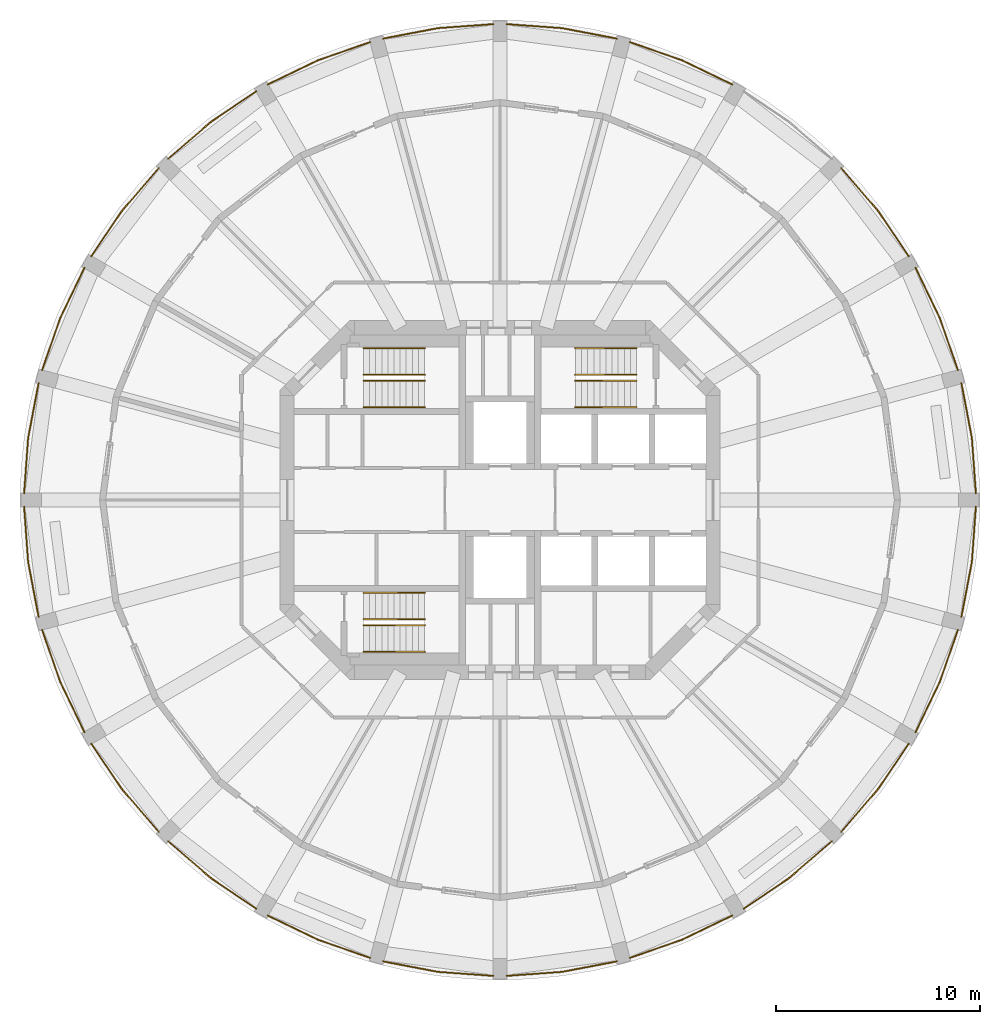
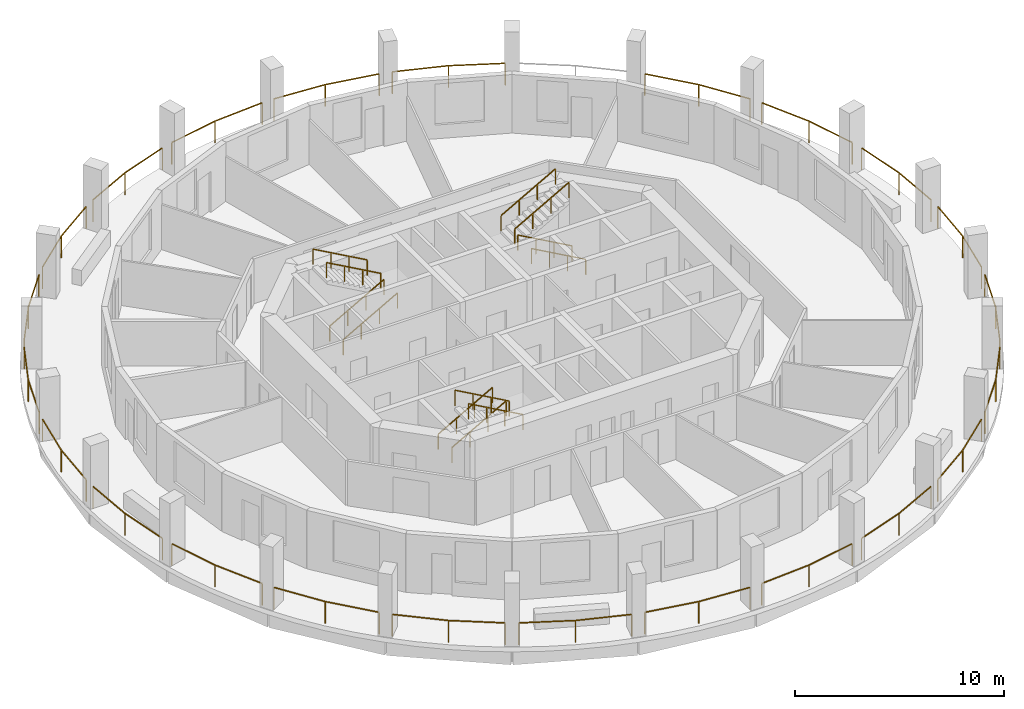
# One storey, part 7 of 8: 35 railings.
"""IFC4 building model written with IfcOpenShell, lengths in metres."""

from ifc_helpers import new_model, si_unit, direction, frame, origin, origin_2d, place, context, subcontext, project, spatial, rectangle, extrude, material, type_object, element, save


model = new_model("IFC4")

# Units and contexts
model_context = context("Model", 3, precision=1e-05, world=origin(), true_north=direction((0.0, 1.0)))
body_context = subcontext(model_context, "Body", "Model", "MODEL_VIEW")
ifc_project = project(units=[si_unit("LENGTHUNIT", "METRE"), si_unit("AREAUNIT", "SQUARE_METRE"), si_unit("VOLUMEUNIT", "CUBIC_METRE"), si_unit("PLANEANGLEUNIT", "RADIAN"), si_unit("MASSUNIT", "GRAM", prefix="KILO")], contexts=[model_context])

# Site, building, storey
site_placement = place(None, origin())
site = spatial("IfcSite", under=ifc_project, at=site_placement, CompositionType="ELEMENT")
building_placement = place(site_placement, origin())
building = spatial("IfcBuilding", under=site, at=building_placement, Name="Torre Triforio", CompositionType="ELEMENT")
storey_placement = place(building_placement, frame((0.0, 0.0, 203.89990234375)))
storey = spatial("IfcBuildingStorey", under=building, at=storey_placement, Name="L46", CompositionType="ELEMENT", Elevation=203.89990234375)

# Railings
ifc_material = material(Name="Stainless steel AISI 316", Category="steel")
railing_type_1 = type_object("IfcRailingType", Name="HANDRAIL 920", PredefinedType="HANDRAIL", material=ifc_material)
for number, where, name in (
    (1, (-6.699951171875, 4.550048828125, 0.168212890625), "Handrail ST1"),
    (2, (-6.699951171875, 5.85009765625, 0.168212890625), "Handrail ST1"),
):
    element("IfcRailing", number, at=place(storey_placement, frame(where)), inside=storey, type_object=railing_type_1, Name=name, PredefinedType="HANDRAIL", context=body_context, shape_type="SweptSolid", body=[
        extrude(rectangle(XDim=0.048095703125, YDim=0.048095703125, at=origin_2d()), frame((0.0, 0.0, 0.89599609375), z_axis=(0.872272294576, 0.0, 0.489020494575), x_axis=(0.0, 1.0, 0.0)), (0.0, 0.0, 1.0), 3.439208984375),
        extrude(rectangle(XDim=0.0419921875, YDim=0.0419921875, at=origin_2d()), origin(), (0.0, 0.0, 1.0), 0.871826171875),
        extrude(rectangle(XDim=0.0419921875, YDim=0.0419921875, at=origin_2d()), frame((1.0, 0.0, 0.560546875)), (0.0, 0.0, 1.0), 0.871826171875),
        extrude(rectangle(XDim=0.0419921875, YDim=0.0419921875, at=origin_2d()), frame((2.0, 0.0, 1.121337890625)), (0.0, 0.0, 1.0), 0.871826171875),
        extrude(rectangle(XDim=0.0419921875, YDim=0.0419921875, at=origin_2d()), frame((3.0, 0.0, 1.681884765625)), (0.0, 0.0, 1.0), 0.871826171875),
    ])
for number, where, name in (
    (3, (-3.699951171875, 7.449951171875, 2.018310546875), "Handrail ST1"),
    (4, (-3.699951171875, 6.14990234375, 2.018310546875), "Handrail ST1"),
    (5, (6.699951171875, 4.550048828125, 0.168212890625), "Handrail ST2"),
    (6, (6.699951171875, 5.85009765625, 0.168212890625), "Handrail ST2"),
):
    element("IfcRailing", number, at=place(storey_placement, frame(where)), inside=storey, type_object=railing_type_1, Name=name, PredefinedType="HANDRAIL", context=body_context, shape_type="SweptSolid", body=[
        extrude(rectangle(XDim=0.048095703125, YDim=0.048095703125, at=origin_2d()), frame((0.0, 0.0, 0.89599609375), z_axis=(-0.872272294576, 0.0, 0.489020494575), x_axis=(0.0, -1.0, 0.0)), (0.0, 0.0, 1.0), 3.439208984375),
        extrude(rectangle(XDim=0.0419921875, YDim=0.0419921875, at=origin_2d()), origin(), (0.0, 0.0, 1.0), 0.871826171875),
        extrude(rectangle(XDim=0.0419921875, YDim=0.0419921875, at=origin_2d()), frame((-1.0, 0.0, 0.560546875)), (0.0, 0.0, 1.0), 0.871826171875),
        extrude(rectangle(XDim=0.0419921875, YDim=0.0419921875, at=origin_2d()), frame((-2.0, 0.0, 1.121337890625)), (0.0, 0.0, 1.0), 0.871826171875),
        extrude(rectangle(XDim=0.0419921875, YDim=0.0419921875, at=origin_2d()), frame((-3.0, 0.0, 1.681884765625)), (0.0, 0.0, 1.0), 0.871826171875),
    ])
for number, where, name in (
    (7, (3.699951171875, 7.449951171875, 2.018310546875), "Handrail ST2"),
    (8, (3.699951171875, 6.14990234375, 2.018310546875), "Handrail ST2"),
    (9, (-6.699951171875, -4.550048828125, 0.168212890625), "Handrail ST3"),
    (10, (-6.699951171875, -5.85009765625, 0.168212890625), "Handrail ST3"),
):
    element("IfcRailing", number, at=place(storey_placement, frame(where)), inside=storey, type_object=railing_type_1, Name=name, PredefinedType="HANDRAIL", context=body_context, shape_type="SweptSolid", body=[
        extrude(rectangle(XDim=0.048095703125, YDim=0.048095703125, at=origin_2d()), frame((0.0, 0.0, 0.89599609375), z_axis=(0.872272294576, 0.0, 0.489020494575), x_axis=(0.0, 1.0, 0.0)), (0.0, 0.0, 1.0), 3.439208984375),
        extrude(rectangle(XDim=0.0419921875, YDim=0.0419921875, at=origin_2d()), origin(), (0.0, 0.0, 1.0), 0.871826171875),
        extrude(rectangle(XDim=0.0419921875, YDim=0.0419921875, at=origin_2d()), frame((1.0, 0.0, 0.560546875)), (0.0, 0.0, 1.0), 0.871826171875),
        extrude(rectangle(XDim=0.0419921875, YDim=0.0419921875, at=origin_2d()), frame((2.0, 0.0, 1.121337890625)), (0.0, 0.0, 1.0), 0.871826171875),
        extrude(rectangle(XDim=0.0419921875, YDim=0.0419921875, at=origin_2d()), frame((3.0, 0.0, 1.681884765625)), (0.0, 0.0, 1.0), 0.871826171875),
    ])
for number, where, name in (
    (11, (-3.699951171875, -7.449951171875, 2.018310546875), "Handrail ST3"),
    (12, (-3.699951171875, -6.14990234375, 2.018310546875), "Handrail ST3"),
):
    element("IfcRailing", number, at=place(storey_placement, frame(where)), inside=storey, type_object=railing_type_1, Name=name, PredefinedType="HANDRAIL", context=body_context, shape_type="SweptSolid", body=[
        extrude(rectangle(XDim=0.048095703125, YDim=0.048095703125, at=origin_2d()), frame((0.0, 0.0, 0.89599609375), z_axis=(-0.872272294576, 0.0, 0.489020494575), x_axis=(0.0, -1.0, 0.0)), (0.0, 0.0, 1.0), 3.439208984375),
        extrude(rectangle(XDim=0.0419921875, YDim=0.0419921875, at=origin_2d()), origin(), (0.0, 0.0, 1.0), 0.871826171875),
        extrude(rectangle(XDim=0.0419921875, YDim=0.0419921875, at=origin_2d()), frame((-1.0, 0.0, 0.560546875)), (0.0, 0.0, 1.0), 0.871826171875),
        extrude(rectangle(XDim=0.0419921875, YDim=0.0419921875, at=origin_2d()), frame((-2.0, 0.0, 1.121337890625)), (0.0, 0.0, 1.0), 0.871826171875),
        extrude(rectangle(XDim=0.0419921875, YDim=0.0419921875, at=origin_2d()), frame((-3.0, 0.0, 1.681884765625)), (0.0, 0.0, 1.0), 0.871826171875),
    ])
railing_type_2 = type_object("IfcRailingType", Name="Loggia guard 1300", PredefinedType="GUARDRAIL", material=ifc_material)
railing_1_placement = place(storey_placement, frame((23.35009765625, 0.320068359375, 0.0)))
element("IfcRailing", 13, at=railing_1_placement, inside=storey, type_object=railing_type_2, Name="Loggia guard L46 bay 01", PredefinedType="GUARDRAIL", context=body_context, shape_type="SweptSolid", body=[
    extrude(rectangle(XDim=0.050048828125, YDim=0.050048828125, at=origin_2d()), frame((0.0, 0.0, 1.27490234375), z_axis=(-0.073105569346, 0.997324207934, 0.0), x_axis=(-0.997324207934, -0.073105569346, 0.0)), (0.0, 0.0, 1.0), 2.735107421875),
    extrude(rectangle(XDim=0.050048828125, YDim=0.050048828125, at=origin_2d()), frame((-0.199951171875, 2.727783203125, 1.27490234375), z_axis=(-0.187542781797, 0.982256435457, 0.0), x_axis=(-0.982256435457, -0.187542781797, 0.0)), (0.0, 0.0, 1.0), 2.735107421875),
    extrude(rectangle(XDim=0.0400390625, YDim=0.0400390625, at=origin_2d()), origin(), (0.0, 0.0, 1.0), 1.25),
    extrude(rectangle(XDim=0.0400390625, YDim=0.0400390625, at=origin_2d()), frame((-0.199951171875, 2.727783203125, 0.0)), (0.0, 0.0, 1.0), 1.25),
    extrude(rectangle(XDim=0.0400390625, YDim=0.0400390625, at=origin_2d()), frame((-0.712890625, 5.414306640625, 0.0)), (0.0, 0.0, 1.0), 1.25),
])
railing_2_placement = place(storey_placement, frame((22.471435546875, 6.3525390625, 0.0)))
element("IfcRailing", 14, at=railing_2_placement, inside=storey, type_object=railing_type_2, Name="Loggia guard L46 bay 02", PredefinedType="GUARDRAIL", context=body_context, shape_type="SweptSolid", body=[
    extrude(rectangle(XDim=0.050048828125, YDim=0.050048828125, at=origin_2d()), frame((0.0, 0.0, 1.27490234375), z_axis=(-0.328652177394, 0.944451029061, 0.0), x_axis=(-0.944451029061, -0.328652177394, 0.0)), (0.0, 0.0, 1.0), 2.735107421875),
    extrude(rectangle(XDim=0.050048828125, YDim=0.050048828125, at=origin_2d()), frame((-0.89892578125, 2.583251953125, 1.27490234375), z_axis=(-0.435427931096, 0.900223592682, 0.0), x_axis=(-0.900223592682, -0.435427931096, 0.0)), (0.0, 0.0, 1.0), 2.735107421875),
    extrude(rectangle(XDim=0.0400390625, YDim=0.0400390625, at=origin_2d()), origin(), (0.0, 0.0, 1.0), 1.25),
    extrude(rectangle(XDim=0.0400390625, YDim=0.0400390625, at=origin_2d()), frame((-0.89892578125, 2.583251953125, 0.0)), (0.0, 0.0, 1.0), 1.25),
    extrude(rectangle(XDim=0.0400390625, YDim=0.0400390625, at=origin_2d()), frame((-2.08984375, 5.04541015625, 0.0)), (0.0, 0.0, 1.0), 1.25),
])
railing_3_placement = place(storey_placement, frame((20.061767578125, 11.9521484375, 0.0)))
element("IfcRailing", 15, at=railing_3_placement, inside=storey, type_object=railing_type_2, Name="Loggia guard L46 bay 03", PredefinedType="GUARDRAIL", context=body_context, shape_type="SweptSolid", body=[
    extrude(rectangle(XDim=0.050048828125, YDim=0.050048828125, at=origin_2d()), frame((0.0, 0.0, 1.27490234375), z_axis=(-0.561909542334, 0.827198686069, 0.0), x_axis=(-0.827198686069, -0.561909542334, 0.0)), (0.0, 0.0, 1.0), 2.735107421875),
    extrude(rectangle(XDim=0.050048828125, YDim=0.050048828125, at=origin_2d()), frame((-1.536865234375, 2.262451171875, 1.27490234375), z_axis=(-0.653580361536, 0.756857127214, 0.0), x_axis=(-0.756857127214, -0.653580361536, 0.0)), (0.0, 0.0, 1.0), 2.735107421875),
    extrude(rectangle(XDim=0.0400390625, YDim=0.0400390625, at=origin_2d()), origin(), (0.0, 0.0, 1.0), 1.25),
    extrude(rectangle(XDim=0.0400390625, YDim=0.0400390625, at=origin_2d()), frame((-1.536865234375, 2.262451171875, 0.0)), (0.0, 0.0, 1.0), 1.25),
    extrude(rectangle(XDim=0.0400390625, YDim=0.0400390625, at=origin_2d()), frame((-3.324462890625, 4.33251953125, 0.0)), (0.0, 0.0, 1.0), 1.25),
])
railing_4_placement = place(storey_placement, frame((11.39794921875, 20.381591796875, 0.0)))
element("IfcRailing", 16, at=railing_4_placement, inside=storey, type_object=railing_type_2, Name="Loggia guard L46 bay 05", PredefinedType="GUARDRAIL", context=body_context, shape_type="SweptSolid", body=[
    extrude(rectangle(XDim=0.050048828125, YDim=0.050048828125, at=origin_2d()), frame((0.0, 0.0, 1.27490234375), z_axis=(-0.900223592682, 0.435427931096, 0.0), x_axis=(-0.435427931096, -0.900223592682, 0.0)), (0.0, 0.0, 1.0), 2.735107421875),
    extrude(rectangle(XDim=0.050048828125, YDim=0.050048828125, at=origin_2d()), frame((-2.462158203125, 1.19091796875, 1.27490234375), z_axis=(-0.944451029061, 0.328652177394, 0.0), x_axis=(-0.328652177394, -0.944451029061, 0.0)), (0.0, 0.0, 1.0), 2.735107421875),
    extrude(rectangle(XDim=0.0400390625, YDim=0.0400390625, at=origin_2d()), origin(), (0.0, 0.0, 1.0), 1.25),
    extrude(rectangle(XDim=0.0400390625, YDim=0.0400390625, at=origin_2d()), frame((-2.462158203125, 1.19091796875, 0.0)), (0.0, 0.0, 1.0), 1.25),
    extrude(rectangle(XDim=0.0400390625, YDim=0.0400390625, at=origin_2d()), frame((-5.04541015625, 2.08984375, 0.0)), (0.0, 0.0, 1.0), 1.25),
])
railing_5_placement = place(storey_placement, frame((5.734375, 22.63720703125, 0.0)))
element("IfcRailing", 17, at=railing_5_placement, inside=storey, type_object=railing_type_2, Name="Loggia guard L46 bay 06", PredefinedType="GUARDRAIL", context=body_context, shape_type="SweptSolid", body=[
    extrude(rectangle(XDim=0.050048828125, YDim=0.050048828125, at=origin_2d()), frame((0.0, 0.0, 1.27490234375), z_axis=(-0.982256435457, 0.187542781797, 0.0), x_axis=(-0.187542781797, -0.982256435457, 0.0)), (0.0, 0.0, 1.0), 2.735107421875),
    extrude(rectangle(XDim=0.050048828125, YDim=0.050048828125, at=origin_2d()), frame((-2.6865234375, 0.512939453125, 1.27490234375), z_axis=(-0.997324207934, 0.073105569346, 0.0), x_axis=(-0.073105569346, -0.997324207934, 0.0)), (0.0, 0.0, 1.0), 2.735107421875),
    extrude(rectangle(XDim=0.0400390625, YDim=0.0400390625, at=origin_2d()), origin(), (0.0, 0.0, 1.0), 1.25),
    extrude(rectangle(XDim=0.0400390625, YDim=0.0400390625, at=origin_2d()), frame((-2.6865234375, 0.512939453125, 0.0)), (0.0, 0.0, 1.0), 1.25),
    extrude(rectangle(XDim=0.0400390625, YDim=0.0400390625, at=origin_2d()), frame((-5.414306640625, 0.712890625, 0.0)), (0.0, 0.0, 1.0), 1.25),
])
railing_6_placement = place(storey_placement, frame((-0.320068359375, 23.35009765625, 0.0)))
element("IfcRailing", 18, at=railing_6_placement, inside=storey, type_object=railing_type_2, Name="Loggia guard L46 bay 07", PredefinedType="GUARDRAIL", context=body_context, shape_type="SweptSolid", body=[
    extrude(rectangle(XDim=0.050048828125, YDim=0.050048828125, at=origin_2d()), frame((0.0, 0.0, 1.27490234375), z_axis=(-0.997324207934, -0.073105569346, 0.0), x_axis=(0.073105569346, -0.997324207934, 0.0)), (0.0, 0.0, 1.0), 2.735107421875),
    extrude(rectangle(XDim=0.050048828125, YDim=0.050048828125, at=origin_2d()), frame((-2.727783203125, -0.199951171875, 1.27490234375), z_axis=(-0.982256435457, -0.187542781797, 0.0), x_axis=(0.187542781797, -0.982256435457, 0.0)), (0.0, 0.0, 1.0), 2.735107421875),
    extrude(rectangle(XDim=0.0400390625, YDim=0.0400390625, at=origin_2d()), origin(), (0.0, 0.0, 1.0), 1.25),
    extrude(rectangle(XDim=0.0400390625, YDim=0.0400390625, at=origin_2d()), frame((-2.727783203125, -0.199951171875, 0.0)), (0.0, 0.0, 1.0), 1.25),
    extrude(rectangle(XDim=0.0400390625, YDim=0.0400390625, at=origin_2d()), frame((-5.414306640625, -0.712890625, 0.0)), (0.0, 0.0, 1.0), 1.25),
])
railing_7_placement = place(storey_placement, frame((-6.3525390625, 22.471435546875, 0.0)))
element("IfcRailing", 19, at=railing_7_placement, inside=storey, type_object=railing_type_2, Name="Loggia guard L46 bay 08", PredefinedType="GUARDRAIL", context=body_context, shape_type="SweptSolid", body=[
    extrude(rectangle(XDim=0.050048828125, YDim=0.050048828125, at=origin_2d()), frame((0.0, 0.0, 1.27490234375), z_axis=(-0.944451029061, -0.328652177394, 0.0), x_axis=(0.328652177394, -0.944451029061, 0.0)), (0.0, 0.0, 1.0), 2.735107421875),
    extrude(rectangle(XDim=0.050048828125, YDim=0.050048828125, at=origin_2d()), frame((-2.583251953125, -0.89892578125, 1.27490234375), z_axis=(-0.900223592682, -0.435427931096, 0.0), x_axis=(0.435427931096, -0.900223592682, 0.0)), (0.0, 0.0, 1.0), 2.735107421875),
    extrude(rectangle(XDim=0.0400390625, YDim=0.0400390625, at=origin_2d()), origin(), (0.0, 0.0, 1.0), 1.25),
    extrude(rectangle(XDim=0.0400390625, YDim=0.0400390625, at=origin_2d()), frame((-2.583251953125, -0.89892578125, 0.0)), (0.0, 0.0, 1.0), 1.25),
    extrude(rectangle(XDim=0.0400390625, YDim=0.0400390625, at=origin_2d()), frame((-5.04541015625, -2.08984375, 0.0)), (0.0, 0.0, 1.0), 1.25),
])
railing_8_placement = place(storey_placement, frame((-11.9521484375, 20.061767578125, 0.0)))
element("IfcRailing", 20, at=railing_8_placement, inside=storey, type_object=railing_type_2, Name="Loggia guard L46 bay 09", PredefinedType="GUARDRAIL", context=body_context, shape_type="SweptSolid", body=[
    extrude(rectangle(XDim=0.050048828125, YDim=0.050048828125, at=origin_2d()), frame((0.0, 0.0, 1.27490234375), z_axis=(-0.827198686069, -0.561909542334, 0.0), x_axis=(0.561909542334, -0.827198686069, 0.0)), (0.0, 0.0, 1.0), 2.735107421875),
    extrude(rectangle(XDim=0.050048828125, YDim=0.050048828125, at=origin_2d()), frame((-2.262451171875, -1.536865234375, 1.27490234375), z_axis=(-0.756857127214, -0.653580361536, 0.0), x_axis=(0.653580361536, -0.756857127214, 0.0)), (0.0, 0.0, 1.0), 2.735107421875),
    extrude(rectangle(XDim=0.0400390625, YDim=0.0400390625, at=origin_2d()), origin(), (0.0, 0.0, 1.0), 1.25),
    extrude(rectangle(XDim=0.0400390625, YDim=0.0400390625, at=origin_2d()), frame((-2.262451171875, -1.536865234375, 0.0)), (0.0, 0.0, 1.0), 1.25),
    extrude(rectangle(XDim=0.0400390625, YDim=0.0400390625, at=origin_2d()), frame((-4.33251953125, -3.324462890625, 0.0)), (0.0, 0.0, 1.0), 1.25),
])
railing_9_placement = place(storey_placement, frame((-16.7373046875, 16.28466796875, 0.0)))
element("IfcRailing", 21, at=railing_9_placement, inside=storey, type_object=railing_type_2, Name="Loggia guard L46 bay 10", PredefinedType="GUARDRAIL", context=body_context, shape_type="SweptSolid", body=[
    extrude(rectangle(XDim=0.050048828125, YDim=0.050048828125, at=origin_2d()), frame((0.0, 0.0, 1.27490234375), z_axis=(-0.653580361536, -0.756857127214, 0.0), x_axis=(0.756857127214, -0.653580361536, 0.0)), (0.0, 0.0, 1.0), 2.735107421875),
    extrude(rectangle(XDim=0.050048828125, YDim=0.050048828125, at=origin_2d()), frame((-1.78759765625, -2.070068359375, 1.27490234375), z_axis=(-0.561909542334, -0.827198686069, 0.0), x_axis=(0.827198686069, -0.561909542334, 0.0)), (0.0, 0.0, 1.0), 2.735107421875),
    extrude(rectangle(XDim=0.0400390625, YDim=0.0400390625, at=origin_2d()), origin(), (0.0, 0.0, 1.0), 1.25),
    extrude(rectangle(XDim=0.0400390625, YDim=0.0400390625, at=origin_2d()), frame((-1.78759765625, -2.070068359375, 0.0)), (0.0, 0.0, 1.0), 1.25),
    extrude(rectangle(XDim=0.0400390625, YDim=0.0400390625, at=origin_2d()), frame((-3.324462890625, -4.33251953125, 0.0)), (0.0, 0.0, 1.0), 1.25),
])
railing_10_placement = place(storey_placement, frame((-20.381591796875, 11.39794921875, 0.0)))
element("IfcRailing", 22, at=railing_10_placement, inside=storey, type_object=railing_type_2, Name="Loggia guard L46 bay 11", PredefinedType="GUARDRAIL", context=body_context, shape_type="SweptSolid", body=[
    extrude(rectangle(XDim=0.050048828125, YDim=0.050048828125, at=origin_2d()), frame((0.0, 0.0, 1.27490234375), z_axis=(-0.435427931096, -0.900223592682, 0.0), x_axis=(0.900223592682, -0.435427931096, 0.0)), (0.0, 0.0, 1.0), 2.735107421875),
    extrude(rectangle(XDim=0.050048828125, YDim=0.050048828125, at=origin_2d()), frame((-1.19091796875, -2.462158203125, 1.27490234375), z_axis=(-0.328652177394, -0.944451029061, 0.0), x_axis=(0.944451029061, -0.328652177394, 0.0)), (0.0, 0.0, 1.0), 2.735107421875),
    extrude(rectangle(XDim=0.0400390625, YDim=0.0400390625, at=origin_2d()), origin(), (0.0, 0.0, 1.0), 1.25),
    extrude(rectangle(XDim=0.0400390625, YDim=0.0400390625, at=origin_2d()), frame((-1.19091796875, -2.462158203125, 0.0)), (0.0, 0.0, 1.0), 1.25),
    extrude(rectangle(XDim=0.0400390625, YDim=0.0400390625, at=origin_2d()), frame((-2.08984375, -5.04541015625, 0.0)), (0.0, 0.0, 1.0), 1.25),
])
railing_11_placement = place(storey_placement, frame((-22.63720703125, 5.734375, 0.0)))
element("IfcRailing", 23, at=railing_11_placement, inside=storey, type_object=railing_type_2, Name="Loggia guard L46 bay 12", PredefinedType="GUARDRAIL", context=body_context, shape_type="SweptSolid", body=[
    extrude(rectangle(XDim=0.050048828125, YDim=0.050048828125, at=origin_2d()), frame((0.0, 0.0, 1.27490234375), z_axis=(-0.187542781797, -0.982256435457, 0.0), x_axis=(0.982256435457, -0.187542781797, 0.0)), (0.0, 0.0, 1.0), 2.735107421875),
    extrude(rectangle(XDim=0.050048828125, YDim=0.050048828125, at=origin_2d()), frame((-0.512939453125, -2.6865234375, 1.27490234375), z_axis=(-0.073105569346, -0.997324207934, 0.0), x_axis=(0.997324207934, -0.073105569346, 0.0)), (0.0, 0.0, 1.0), 2.735107421875),
    extrude(rectangle(XDim=0.0400390625, YDim=0.0400390625, at=origin_2d()), origin(), (0.0, 0.0, 1.0), 1.25),
    extrude(rectangle(XDim=0.0400390625, YDim=0.0400390625, at=origin_2d()), frame((-0.512939453125, -2.6865234375, 0.0)), (0.0, 0.0, 1.0), 1.25),
    extrude(rectangle(XDim=0.0400390625, YDim=0.0400390625, at=origin_2d()), frame((-0.712890625, -5.414306640625, 0.0)), (0.0, 0.0, 1.0), 1.25),
])
railing_12_placement = place(storey_placement, frame((-23.35009765625, -0.320068359375, 0.0)))
element("IfcRailing", 24, at=railing_12_placement, inside=storey, type_object=railing_type_2, Name="Loggia guard L46 bay 13", PredefinedType="GUARDRAIL", context=body_context, shape_type="SweptSolid", body=[
    extrude(rectangle(XDim=0.050048828125, YDim=0.050048828125, at=origin_2d()), frame((0.0, 0.0, 1.27490234375), z_axis=(0.073105569346, -0.997324207934, 0.0), x_axis=(0.997324207934, 0.073105569346, 0.0)), (0.0, 0.0, 1.0), 2.735107421875),
    extrude(rectangle(XDim=0.050048828125, YDim=0.050048828125, at=origin_2d()), frame((0.199951171875, -2.727783203125, 1.27490234375), z_axis=(0.187542781797, -0.982256435457, 0.0), x_axis=(0.982256435457, 0.187542781797, 0.0)), (0.0, 0.0, 1.0), 2.735107421875),
    extrude(rectangle(XDim=0.0400390625, YDim=0.0400390625, at=origin_2d()), origin(), (0.0, 0.0, 1.0), 1.25),
    extrude(rectangle(XDim=0.0400390625, YDim=0.0400390625, at=origin_2d()), frame((0.199951171875, -2.727783203125, 0.0)), (0.0, 0.0, 1.0), 1.25),
    extrude(rectangle(XDim=0.0400390625, YDim=0.0400390625, at=origin_2d()), frame((0.712890625, -5.414306640625, 0.0)), (0.0, 0.0, 1.0), 1.25),
])
railing_13_placement = place(storey_placement, frame((-22.471435546875, -6.3525390625, 0.0)))
element("IfcRailing", 25, at=railing_13_placement, inside=storey, type_object=railing_type_2, Name="Loggia guard L46 bay 14", PredefinedType="GUARDRAIL", context=body_context, shape_type="SweptSolid", body=[
    extrude(rectangle(XDim=0.050048828125, YDim=0.050048828125, at=origin_2d()), frame((0.0, 0.0, 1.27490234375), z_axis=(0.328652177394, -0.944451029061, 0.0), x_axis=(0.944451029061, 0.328652177394, 0.0)), (0.0, 0.0, 1.0), 2.735107421875),
    extrude(rectangle(XDim=0.050048828125, YDim=0.050048828125, at=origin_2d()), frame((0.89892578125, -2.583251953125, 1.27490234375), z_axis=(0.435427931096, -0.900223592682, 0.0), x_axis=(0.900223592682, 0.435427931096, 0.0)), (0.0, 0.0, 1.0), 2.735107421875),
    extrude(rectangle(XDim=0.0400390625, YDim=0.0400390625, at=origin_2d()), origin(), (0.0, 0.0, 1.0), 1.25),
    extrude(rectangle(XDim=0.0400390625, YDim=0.0400390625, at=origin_2d()), frame((0.89892578125, -2.583251953125, 0.0)), (0.0, 0.0, 1.0), 1.25),
    extrude(rectangle(XDim=0.0400390625, YDim=0.0400390625, at=origin_2d()), frame((2.08984375, -5.04541015625, 0.0)), (0.0, 0.0, 1.0), 1.25),
])
railing_14_placement = place(storey_placement, frame((-20.061767578125, -11.9521484375, 0.0)))
element("IfcRailing", 26, at=railing_14_placement, inside=storey, type_object=railing_type_2, Name="Loggia guard L46 bay 15", PredefinedType="GUARDRAIL", context=body_context, shape_type="SweptSolid", body=[
    extrude(rectangle(XDim=0.050048828125, YDim=0.050048828125, at=origin_2d()), frame((0.0, 0.0, 1.27490234375), z_axis=(0.561909542334, -0.827198686069, 0.0), x_axis=(0.827198686069, 0.561909542334, 0.0)), (0.0, 0.0, 1.0), 2.735107421875),
    extrude(rectangle(XDim=0.050048828125, YDim=0.050048828125, at=origin_2d()), frame((1.536865234375, -2.262451171875, 1.27490234375), z_axis=(0.653580361536, -0.756857127214, 0.0), x_axis=(0.756857127214, 0.653580361536, 0.0)), (0.0, 0.0, 1.0), 2.735107421875),
    extrude(rectangle(XDim=0.0400390625, YDim=0.0400390625, at=origin_2d()), origin(), (0.0, 0.0, 1.0), 1.25),
    extrude(rectangle(XDim=0.0400390625, YDim=0.0400390625, at=origin_2d()), frame((1.536865234375, -2.262451171875, 0.0)), (0.0, 0.0, 1.0), 1.25),
    extrude(rectangle(XDim=0.0400390625, YDim=0.0400390625, at=origin_2d()), frame((3.324462890625, -4.33251953125, 0.0)), (0.0, 0.0, 1.0), 1.25),
])
railing_15_placement = place(storey_placement, frame((-16.28466796875, -16.7373046875, 0.0)))
element("IfcRailing", 27, at=railing_15_placement, inside=storey, type_object=railing_type_2, Name="Loggia guard L46 bay 16", PredefinedType="GUARDRAIL", context=body_context, shape_type="SweptSolid", body=[
    extrude(rectangle(XDim=0.050048828125, YDim=0.050048828125, at=origin_2d()), frame((0.0, 0.0, 1.27490234375), z_axis=(0.756857127214, -0.653580361536, 0.0), x_axis=(0.653580361536, 0.756857127214, 0.0)), (0.0, 0.0, 1.0), 2.735107421875),
    extrude(rectangle(XDim=0.050048828125, YDim=0.050048828125, at=origin_2d()), frame((2.070068359375, -1.78759765625, 1.27490234375), z_axis=(0.827198686069, -0.561909542334, 0.0), x_axis=(0.561909542334, 0.827198686069, 0.0)), (0.0, 0.0, 1.0), 2.735107421875),
    extrude(rectangle(XDim=0.0400390625, YDim=0.0400390625, at=origin_2d()), origin(), (0.0, 0.0, 1.0), 1.25),
    extrude(rectangle(XDim=0.0400390625, YDim=0.0400390625, at=origin_2d()), frame((2.070068359375, -1.78759765625, 0.0)), (0.0, 0.0, 1.0), 1.25),
    extrude(rectangle(XDim=0.0400390625, YDim=0.0400390625, at=origin_2d()), frame((4.33251953125, -3.324462890625, 0.0)), (0.0, 0.0, 1.0), 1.25),
])
railing_16_placement = place(storey_placement, frame((-11.39794921875, -20.381591796875, 0.0)))
element("IfcRailing", 28, at=railing_16_placement, inside=storey, type_object=railing_type_2, Name="Loggia guard L46 bay 17", PredefinedType="GUARDRAIL", context=body_context, shape_type="SweptSolid", body=[
    extrude(rectangle(XDim=0.050048828125, YDim=0.050048828125, at=origin_2d()), frame((0.0, 0.0, 1.27490234375), z_axis=(0.900223592682, -0.435427931096, 0.0), x_axis=(0.435427931096, 0.900223592682, 0.0)), (0.0, 0.0, 1.0), 2.735107421875),
    extrude(rectangle(XDim=0.050048828125, YDim=0.050048828125, at=origin_2d()), frame((2.462158203125, -1.19091796875, 1.27490234375), z_axis=(0.944451029061, -0.328652177394, 0.0), x_axis=(0.328652177394, 0.944451029061, 0.0)), (0.0, 0.0, 1.0), 2.735107421875),
    extrude(rectangle(XDim=0.0400390625, YDim=0.0400390625, at=origin_2d()), origin(), (0.0, 0.0, 1.0), 1.25),
    extrude(rectangle(XDim=0.0400390625, YDim=0.0400390625, at=origin_2d()), frame((2.462158203125, -1.19091796875, 0.0)), (0.0, 0.0, 1.0), 1.25),
    extrude(rectangle(XDim=0.0400390625, YDim=0.0400390625, at=origin_2d()), frame((5.04541015625, -2.08984375, 0.0)), (0.0, 0.0, 1.0), 1.25),
])
railing_17_placement = place(storey_placement, frame((-5.734375, -22.63720703125, 0.0)))
element("IfcRailing", 29, at=railing_17_placement, inside=storey, type_object=railing_type_2, Name="Loggia guard L46 bay 18", PredefinedType="GUARDRAIL", context=body_context, shape_type="SweptSolid", body=[
    extrude(rectangle(XDim=0.050048828125, YDim=0.050048828125, at=origin_2d()), frame((0.0, 0.0, 1.27490234375), z_axis=(0.982256435457, -0.187542781797, 0.0), x_axis=(0.187542781797, 0.982256435457, 0.0)), (0.0, 0.0, 1.0), 2.735107421875),
    extrude(rectangle(XDim=0.050048828125, YDim=0.050048828125, at=origin_2d()), frame((2.6865234375, -0.512939453125, 1.27490234375), z_axis=(0.997324207934, -0.073105569346, 0.0), x_axis=(0.073105569346, 0.997324207934, 0.0)), (0.0, 0.0, 1.0), 2.735107421875),
    extrude(rectangle(XDim=0.0400390625, YDim=0.0400390625, at=origin_2d()), origin(), (0.0, 0.0, 1.0), 1.25),
    extrude(rectangle(XDim=0.0400390625, YDim=0.0400390625, at=origin_2d()), frame((2.6865234375, -0.512939453125, 0.0)), (0.0, 0.0, 1.0), 1.25),
    extrude(rectangle(XDim=0.0400390625, YDim=0.0400390625, at=origin_2d()), frame((5.414306640625, -0.712890625, 0.0)), (0.0, 0.0, 1.0), 1.25),
])
railing_18_placement = place(storey_placement, frame((0.320068359375, -23.35009765625, 0.0)))
element("IfcRailing", 30, at=railing_18_placement, inside=storey, type_object=railing_type_2, Name="Loggia guard L46 bay 19", PredefinedType="GUARDRAIL", context=body_context, shape_type="SweptSolid", body=[
    extrude(rectangle(XDim=0.050048828125, YDim=0.050048828125, at=origin_2d()), frame((0.0, 0.0, 1.27490234375), z_axis=(0.997324207934, 0.073105569346, 0.0), x_axis=(-0.073105569346, 0.997324207934, 0.0)), (0.0, 0.0, 1.0), 2.735107421875),
    extrude(rectangle(XDim=0.050048828125, YDim=0.050048828125, at=origin_2d()), frame((2.727783203125, 0.199951171875, 1.27490234375), z_axis=(0.982256435457, 0.187542781797, 0.0), x_axis=(-0.187542781797, 0.982256435457, 0.0)), (0.0, 0.0, 1.0), 2.735107421875),
    extrude(rectangle(XDim=0.0400390625, YDim=0.0400390625, at=origin_2d()), origin(), (0.0, 0.0, 1.0), 1.25),
    extrude(rectangle(XDim=0.0400390625, YDim=0.0400390625, at=origin_2d()), frame((2.727783203125, 0.199951171875, 0.0)), (0.0, 0.0, 1.0), 1.25),
    extrude(rectangle(XDim=0.0400390625, YDim=0.0400390625, at=origin_2d()), frame((5.414306640625, 0.712890625, 0.0)), (0.0, 0.0, 1.0), 1.25),
])
railing_19_placement = place(storey_placement, frame((6.3525390625, -22.471435546875, 0.0)))
element("IfcRailing", 31, at=railing_19_placement, inside=storey, type_object=railing_type_2, Name="Loggia guard L46 bay 20", PredefinedType="GUARDRAIL", context=body_context, shape_type="SweptSolid", body=[
    extrude(rectangle(XDim=0.050048828125, YDim=0.050048828125, at=origin_2d()), frame((0.0, 0.0, 1.27490234375), z_axis=(0.944451029061, 0.328652177394, 0.0), x_axis=(-0.328652177394, 0.944451029061, 0.0)), (0.0, 0.0, 1.0), 2.735107421875),
    extrude(rectangle(XDim=0.050048828125, YDim=0.050048828125, at=origin_2d()), frame((2.583251953125, 0.89892578125, 1.27490234375), z_axis=(0.900223592682, 0.435427931096, 0.0), x_axis=(-0.435427931096, 0.900223592682, 0.0)), (0.0, 0.0, 1.0), 2.735107421875),
    extrude(rectangle(XDim=0.0400390625, YDim=0.0400390625, at=origin_2d()), origin(), (0.0, 0.0, 1.0), 1.25),
    extrude(rectangle(XDim=0.0400390625, YDim=0.0400390625, at=origin_2d()), frame((2.583251953125, 0.89892578125, 0.0)), (0.0, 0.0, 1.0), 1.25),
    extrude(rectangle(XDim=0.0400390625, YDim=0.0400390625, at=origin_2d()), frame((5.04541015625, 2.08984375, 0.0)), (0.0, 0.0, 1.0), 1.25),
])
railing_20_placement = place(storey_placement, frame((11.9521484375, -20.061767578125, 0.0)))
element("IfcRailing", 32, at=railing_20_placement, inside=storey, type_object=railing_type_2, Name="Loggia guard L46 bay 21", PredefinedType="GUARDRAIL", context=body_context, shape_type="SweptSolid", body=[
    extrude(rectangle(XDim=0.050048828125, YDim=0.050048828125, at=origin_2d()), frame((0.0, 0.0, 1.27490234375), z_axis=(0.827198686069, 0.561909542334, 0.0), x_axis=(-0.561909542334, 0.827198686069, 0.0)), (0.0, 0.0, 1.0), 2.735107421875),
    extrude(rectangle(XDim=0.050048828125, YDim=0.050048828125, at=origin_2d()), frame((2.262451171875, 1.536865234375, 1.27490234375), z_axis=(0.756857127214, 0.653580361536, 0.0), x_axis=(-0.653580361536, 0.756857127214, 0.0)), (0.0, 0.0, 1.0), 2.735107421875),
    extrude(rectangle(XDim=0.0400390625, YDim=0.0400390625, at=origin_2d()), origin(), (0.0, 0.0, 1.0), 1.25),
    extrude(rectangle(XDim=0.0400390625, YDim=0.0400390625, at=origin_2d()), frame((2.262451171875, 1.536865234375, 0.0)), (0.0, 0.0, 1.0), 1.25),
    extrude(rectangle(XDim=0.0400390625, YDim=0.0400390625, at=origin_2d()), frame((4.33251953125, 3.324462890625, 0.0)), (0.0, 0.0, 1.0), 1.25),
])
railing_21_placement = place(storey_placement, frame((16.7373046875, -16.28466796875, 0.0)))
element("IfcRailing", 33, at=railing_21_placement, inside=storey, type_object=railing_type_2, Name="Loggia guard L46 bay 22", PredefinedType="GUARDRAIL", context=body_context, shape_type="SweptSolid", body=[
    extrude(rectangle(XDim=0.050048828125, YDim=0.050048828125, at=origin_2d()), frame((0.0, 0.0, 1.27490234375), z_axis=(0.653580361536, 0.756857127214, 0.0), x_axis=(-0.756857127214, 0.653580361536, 0.0)), (0.0, 0.0, 1.0), 2.735107421875),
    extrude(rectangle(XDim=0.050048828125, YDim=0.050048828125, at=origin_2d()), frame((1.78759765625, 2.070068359375, 1.27490234375), z_axis=(0.561909542334, 0.827198686069, 0.0), x_axis=(-0.827198686069, 0.561909542334, 0.0)), (0.0, 0.0, 1.0), 2.735107421875),
    extrude(rectangle(XDim=0.0400390625, YDim=0.0400390625, at=origin_2d()), origin(), (0.0, 0.0, 1.0), 1.25),
    extrude(rectangle(XDim=0.0400390625, YDim=0.0400390625, at=origin_2d()), frame((1.78759765625, 2.070068359375, 0.0)), (0.0, 0.0, 1.0), 1.25),
    extrude(rectangle(XDim=0.0400390625, YDim=0.0400390625, at=origin_2d()), frame((3.324462890625, 4.33251953125, 0.0)), (0.0, 0.0, 1.0), 1.25),
])
railing_22_placement = place(storey_placement, frame((20.381591796875, -11.39794921875, 0.0)))
element("IfcRailing", 34, at=railing_22_placement, inside=storey, type_object=railing_type_2, Name="Loggia guard L46 bay 23", PredefinedType="GUARDRAIL", context=body_context, shape_type="SweptSolid", body=[
    extrude(rectangle(XDim=0.050048828125, YDim=0.050048828125, at=origin_2d()), frame((0.0, 0.0, 1.27490234375), z_axis=(0.435427931096, 0.900223592682, 0.0), x_axis=(-0.900223592682, 0.435427931096, 0.0)), (0.0, 0.0, 1.0), 2.735107421875),
    extrude(rectangle(XDim=0.050048828125, YDim=0.050048828125, at=origin_2d()), frame((1.19091796875, 2.462158203125, 1.27490234375), z_axis=(0.328652177394, 0.944451029061, 0.0), x_axis=(-0.944451029061, 0.328652177394, 0.0)), (0.0, 0.0, 1.0), 2.735107421875),
    extrude(rectangle(XDim=0.0400390625, YDim=0.0400390625, at=origin_2d()), origin(), (0.0, 0.0, 1.0), 1.25),
    extrude(rectangle(XDim=0.0400390625, YDim=0.0400390625, at=origin_2d()), frame((1.19091796875, 2.462158203125, 0.0)), (0.0, 0.0, 1.0), 1.25),
    extrude(rectangle(XDim=0.0400390625, YDim=0.0400390625, at=origin_2d()), frame((2.08984375, 5.04541015625, 0.0)), (0.0, 0.0, 1.0), 1.25),
])
railing_23_placement = place(storey_placement, frame((22.63720703125, -5.734375, 0.0)))
element("IfcRailing", 35, at=railing_23_placement, inside=storey, type_object=railing_type_2, Name="Loggia guard L46 bay 24", PredefinedType="GUARDRAIL", context=body_context, shape_type="SweptSolid", body=[
    extrude(rectangle(XDim=0.050048828125, YDim=0.050048828125, at=origin_2d()), frame((0.0, 0.0, 1.27490234375), z_axis=(0.187542781797, 0.982256435457, 0.0), x_axis=(-0.982256435457, 0.187542781797, 0.0)), (0.0, 0.0, 1.0), 2.735107421875),
    extrude(rectangle(XDim=0.050048828125, YDim=0.050048828125, at=origin_2d()), frame((0.512939453125, 2.6865234375, 1.27490234375), z_axis=(0.073105569346, 0.997324207934, 0.0), x_axis=(-0.997324207934, 0.073105569346, 0.0)), (0.0, 0.0, 1.0), 2.735107421875),
    extrude(rectangle(XDim=0.0400390625, YDim=0.0400390625, at=origin_2d()), origin(), (0.0, 0.0, 1.0), 1.25),
    extrude(rectangle(XDim=0.0400390625, YDim=0.0400390625, at=origin_2d()), frame((0.512939453125, 2.6865234375, 0.0)), (0.0, 0.0, 1.0), 1.25),
    extrude(rectangle(XDim=0.0400390625, YDim=0.0400390625, at=origin_2d()), frame((0.712890625, 5.414306640625, 0.0)), (0.0, 0.0, 1.0), 1.25),
])

save(model, "model.ifc")
